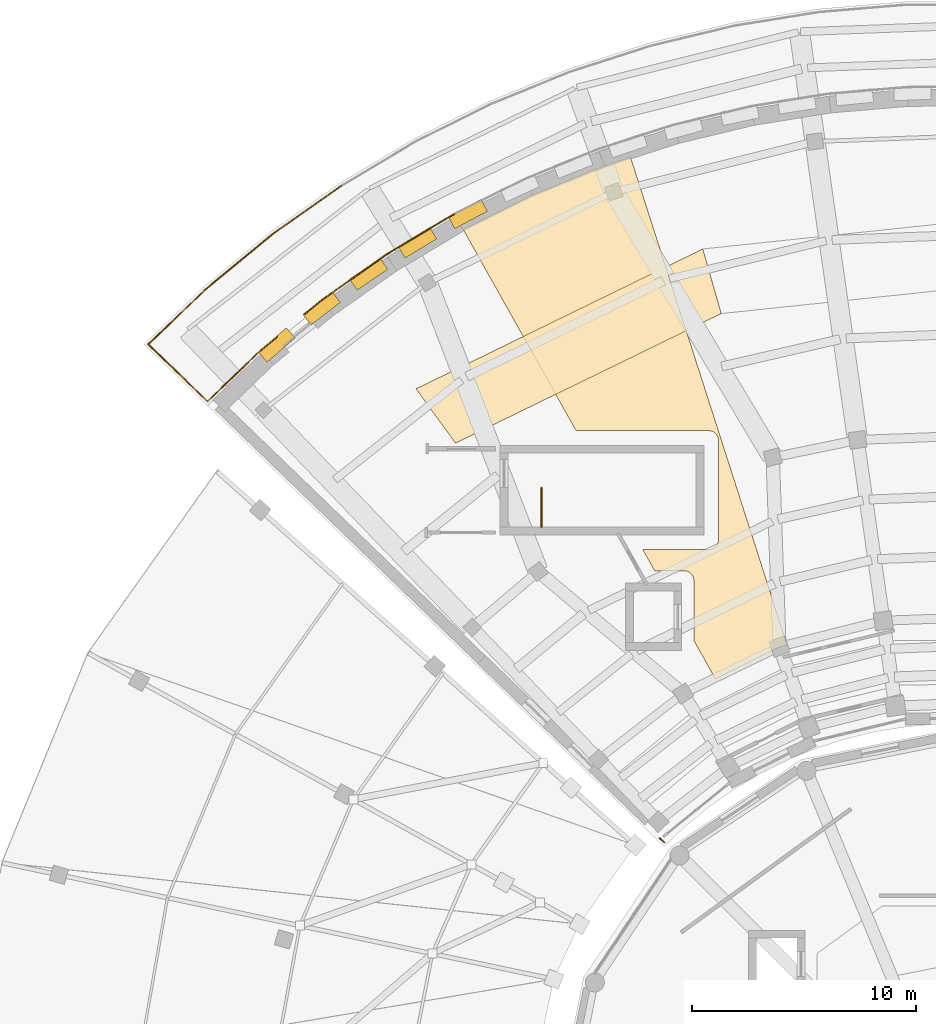
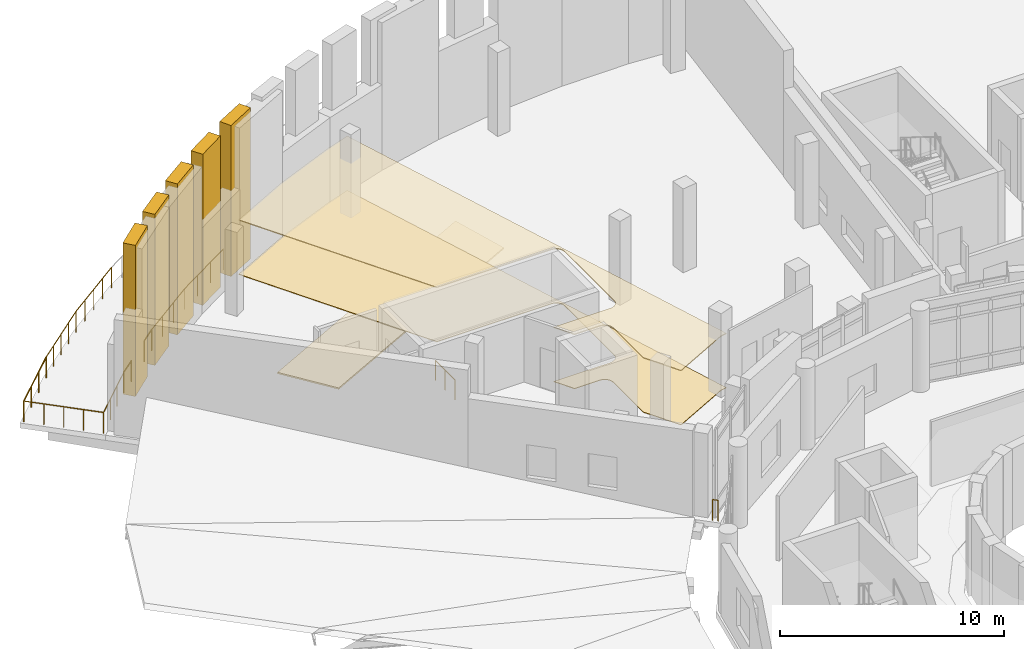
# One storey, part 45 of 49: 11 railings, 8 coverings.
"""IFC4 building model written with IfcOpenShell, lengths in metres."""

from ifc_helpers import new_model, si_unit, direction, frame, origin, origin_2d, place, context, subcontext, project, spatial, polyline, rectangle, circle, outline, extrude, material, layer, layer_set, type_object, element, save


model = new_model("IFC4")

# Units and contexts
model_context = context("Model", 3, precision=1e-05, world=origin(), true_north=direction((0.0, 1.0)))
body_context = subcontext(model_context, "Body", "Model", "MODEL_VIEW")
ifc_project = project(units=[si_unit("LENGTHUNIT", "METRE"), si_unit("AREAUNIT", "SQUARE_METRE"), si_unit("VOLUMEUNIT", "CUBIC_METRE"), si_unit("PLANEANGLEUNIT", "RADIAN"), si_unit("MASSUNIT", "GRAM", prefix="KILO")], contexts=[model_context])

# Site, building, storey
site_placement = place(None, origin())
site = spatial("IfcSite", under=ifc_project, at=site_placement, CompositionType="ELEMENT")
building_placement = place(site_placement, origin())
building = spatial("IfcBuilding", under=site, at=building_placement, Name="Soyqirgoq Riverine Aquarium", CompositionType="ELEMENT")
storey_placement = place(building_placement, frame((0.0, 0.0, 15.0)))
storey = spatial("IfcBuildingStorey", under=building, at=storey_placement, Name="L04", CompositionType="ELEMENT", Elevation=15.0)

# Coverings
ifc_material_1 = material(Name="Perforated mineral-fibre acoustic ceiling", Category="gypsum")
ifc_layer_1 = layer(ifc_material_1, 0.050048828125)
ifc_layer_set_1 = layer_set([ifc_layer_1], Name="Perforated mineral-fibre acoustic ceiling")
covering_type_1 = type_object("IfcCoveringType", Name="AcousticBaffleCeiling_50", PredefinedType="CEILING", material=ifc_layer_set_1)
covering_1_placement = place(storey_placement, frame((0.0, 0.0, 2.949951171875)))
element("IfcCovering", 1, at=covering_1_placement, inside=storey, type_object=covering_type_1, Name="Intertidal Discovery Tidepool Hall Suspended Ceiling", PredefinedType="CEILING", context=body_context, shape_type="SweptSolid", body=[
    extrude(outline(polyline([(37.0869140625, 98.822021484375), (40.302001953125, 100.131103515625), (41.47412109375, 100.509033203125), (48.468017578125, 78.72705078125), (48.172119140625, 78.656005859375), (48.123046875, 78.64111328125), (48.075927734375, 78.62109375), (45.261962890625, 77.218017578125), (44.300048828125, 78.931884765625), (44.300048828125, 81.60009765625), (44.298095703125, 81.64404296875), (44.291015625, 81.68798828125), (44.281005859375, 81.73095703125), (44.26611328125, 81.77197265625), (44.2470703125, 81.81201171875), (44.22412109375, 81.85009765625), (44.197998046875, 81.885009765625), (44.16796875, 81.91796875), (44.135009765625, 81.947998046875), (44.10009765625, 81.97412109375), (44.06201171875, 81.9970703125), (44.02197265625, 82.01611328125), (43.98095703125, 82.031005859375), (43.93798828125, 82.041015625), (43.89404296875, 82.048095703125), (43.85009765625, 82.050048828125), (42.550048828125, 82.050048828125), (42.01708984375, 83.0), (44.949951171875, 83.0), (44.993896484375, 83.001953125), (45.0380859375, 83.009033203125), (45.0810546875, 83.01904296875), (45.1220703125, 83.033935546875), (45.162109375, 83.052978515625), (45.199951171875, 83.075927734375), (45.235107421875, 83.10205078125), (45.26806640625, 83.132080078125), (45.298095703125, 83.1650390625), (45.323974609375, 83.199951171875), (45.346923828125, 83.238037109375), (45.365966796875, 83.278076171875), (45.381103515625, 83.319091796875), (45.39111328125, 83.362060546875), (45.39794921875, 83.406005859375), (45.39990234375, 83.449951171875), (45.39990234375, 87.85009765625), (45.39794921875, 87.89404296875), (45.39111328125, 87.93798828125), (45.381103515625, 87.98095703125), (45.365966796875, 88.02197265625), (45.346923828125, 88.06201171875), (45.323974609375, 88.10009765625), (45.298095703125, 88.135009765625), (45.26806640625, 88.16796875), (45.235107421875, 88.197998046875), (45.199951171875, 88.22412109375), (45.162109375, 88.2470703125), (45.1220703125, 88.26611328125), (45.0810546875, 88.281005859375), (45.0380859375, 88.291015625), (44.993896484375, 88.298095703125), (44.949951171875, 88.300048828125), (39.04296875, 88.300048828125), (34.001953125, 97.283935546875), (37.0869140625, 98.822021484375)])), origin(), (0.0, 0.0, 1.0), 0.050048828125),
])
ifc_material_2 = material(Name="Perforated anodised aluminium travertine-tone soffit", Category="masonry")
ifc_layer_2 = layer(ifc_material_2, 0.080078125)
ifc_layer_set_2 = layer_set([ifc_layer_2], Name="Perforated anodised aluminium travertine-tone soffit")
covering_type_2 = type_object("IfcCoveringType", Name="PrairieEaveSoffit_80", PredefinedType="CLADDING", material=ifc_layer_set_2)
covering_2_placement = place(storey_placement, frame((0.0, 0.0, -0.360107421875)))
element("IfcCovering", 2, at=covering_2_placement, inside=storey, type_object=covering_type_2, Name="V4 L04 Prairie Eave Travertine Soffit 06", PredefinedType="CLADDING", context=body_context, shape_type="SweptSolid", body=[
    extrude(outline(polyline([(45.52587890625, 93.52783203125), (44.698974609375, 96.41162109375), (31.90087890625, 90.169677734375), (33.664306640625, 87.74267578125), (45.52587890625, 93.52783203125)])), origin(), (0.0, 0.0, 1.0), 0.080078125),
])

# Railings
ifc_material_3 = material(Name="Painted steel infill stair-well guardrail", Category="steel")
railing_type_1 = type_object("IfcRailingType", Name="StairWellGuard_1120", PredefinedType="GUARDRAIL", material=ifc_material_3)
railing_1_placement = place(storey_placement, frame((37.5, 84.0, 0.0)))
element("IfcRailing", 3, at=railing_1_placement, inside=storey, type_object=railing_type_1, Name="L04 ST-4 top well guard 1", PredefinedType="GUARDRAIL", context=body_context, shape_type="SweptSolid", body=[
    extrude(circle(Radius=0.02392578125, at=origin_2d()), frame((0.0, 0.0, 1.09619140625), z_axis=(0.0, 1.0, 0.0), x_axis=(-1.0, 0.0, 0.0)), (0.0, 0.0, 1.0), 1.75),
    extrude(circle(Radius=0.02099609375, at=origin_2d()), origin(), (0.0, 0.0, 1.0), 1.072021484375),
    extrude(circle(Radius=0.02099609375, at=origin_2d()), frame((0.0, 0.875, 0.0)), (0.0, 0.0, 1.0), 1.072021484375),
    extrude(circle(Radius=0.02099609375, at=origin_2d()), frame((0.0, 1.75, 0.0)), (0.0, 0.0, 1.0), 1.072021484375),
])
ifc_material_4 = material(Name="Laminated safety glass and stainless steel balustrade", Category="steel")
railing_type_2 = type_object("IfcRailingType", Name="TerraceGuard_1150", PredefinedType="BALUSTRADE", material=ifc_material_4)
railing_2_placement = place(storey_placement, frame((33.602294921875, 97.967041015625, 0.0)))
element("IfcRailing", 4, at=railing_2_placement, inside=storey, type_object=railing_type_2, Name="V4 L04 Terrace Perimeter Balustrade 038", PredefinedType="BALUSTRADE", context=body_context, shape_type="SweptSolid", body=[
    extrude(circle(Radius=0.02392578125, at=origin_2d()), frame((0.0, 0.0, 1.1259765625), z_axis=(-0.858686568302, -0.512501099918, 0.0), x_axis=(0.512501099918, -0.858686568302, 0.0)), (0.0, 0.0, 1.0), 3.5302734375),
    extrude(circle(Radius=0.02099609375, at=origin_2d()), origin(), (0.0, 0.0, 1.0), 1.101806640625),
    extrude(circle(Radius=0.02099609375, at=origin_2d()), frame((-1.010498046875, -0.60302734375, 0.0)), (0.0, 0.0, 1.0), 1.101806640625),
    extrude(circle(Radius=0.02099609375, at=origin_2d()), frame((-2.02099609375, -1.206298828125, 0.0)), (0.0, 0.0, 1.0), 1.101806640625),
    extrude(circle(Radius=0.02099609375, at=origin_2d()), frame((-3.031494140625, -1.809326171875, 0.0)), (0.0, 0.0, 1.0), 1.101806640625),
])
railing_3_placement = place(storey_placement, frame((30.57080078125, 96.15771484375, 0.0)))
element("IfcRailing", 5, at=railing_3_placement, inside=storey, type_object=railing_type_2, Name="V4 L04 Terrace Perimeter Balustrade 039", PredefinedType="BALUSTRADE", context=body_context, shape_type="SweptSolid", body=[
    extrude(circle(Radius=0.02392578125, at=origin_2d()), frame((0.0, 0.0, 1.1259765625), z_axis=(-0.817463932886, -0.57597978995, 0.0), x_axis=(0.57597978995, -0.817463932886, 0.0)), (0.0, 0.0, 1.0), 3.530517578125),
    extrude(circle(Radius=0.02099609375, at=origin_2d()), origin(), (0.0, 0.0, 1.0), 1.101806640625),
    extrude(circle(Radius=0.02099609375, at=origin_2d()), frame((-0.9619140625, -0.677734375, 0.0)), (0.0, 0.0, 1.0), 1.101806640625),
    extrude(circle(Radius=0.02099609375, at=origin_2d()), frame((-1.924072265625, -1.355712890625, 0.0)), (0.0, 0.0, 1.0), 1.101806640625),
    extrude(circle(Radius=0.02099609375, at=origin_2d()), frame((-2.885986328125, -2.033447265625, 0.0)), (0.0, 0.0, 1.0), 1.101806640625),
])
for number, where, name in (
    (6, (27.684814453125, 94.124267578125, 0.0), "V4 L04 Terrace Perimeter Balustrade 040"),
    (7, (25.69580078125, 92.484619140625, 0.0), "V4 L04 Terrace Perimeter Balustrade 041"),
):
    element("IfcRailing", number, at=place(storey_placement, frame(where)), inside=storey, type_object=railing_type_2, Name=name, PredefinedType="BALUSTRADE", context=body_context, shape_type="SweptSolid", body=[
        extrude(circle(Radius=0.02392578125, at=origin_2d()), frame((0.0, 0.0, 1.1259765625), z_axis=(-0.771634250587, -0.636066492845, 0.0), x_axis=(0.636066492845, -0.771634250587, 0.0)), (0.0, 0.0, 1.0), 0.95263671875),
        extrude(circle(Radius=0.02099609375, at=origin_2d()), origin(), (0.0, 0.0, 1.0), 1.101806640625),
        extrude(circle(Radius=0.02099609375, at=origin_2d()), frame((-0.735107421875, -0.60595703125, 0.0)), (0.0, 0.0, 1.0), 1.101806640625),
    ])
railing_4_placement = place(storey_placement, frame((24.960693359375, 91.878662109375, 0.0)))
element("IfcRailing", 8, at=railing_4_placement, inside=storey, type_object=railing_type_2, Name="V4 L04 Terrace Perimeter Balustrade 042", PredefinedType="BALUSTRADE", context=body_context, shape_type="SweptSolid", body=[
    extrude(circle(Radius=0.02392578125, at=origin_2d()), frame((0.0, 0.0, 1.1259765625), z_axis=(-0.721362035895, -0.69255816591, 0.0), x_axis=(0.69255816591, -0.721362035895, 0.0)), (0.0, 0.0, 1.0), 3.2802734375),
    extrude(circle(Radius=0.02099609375, at=origin_2d()), origin(), (0.0, 0.0, 1.0), 1.101806640625),
    extrude(circle(Radius=0.02099609375, at=origin_2d()), frame((-0.788818359375, -0.75732421875, 0.0)), (0.0, 0.0, 1.0), 1.101806640625),
    extrude(circle(Radius=0.02099609375, at=origin_2d()), frame((-1.577392578125, -1.514404296875, 0.0)), (0.0, 0.0, 1.0), 1.101806640625),
    extrude(circle(Radius=0.02099609375, at=origin_2d()), frame((-2.3662109375, -2.271728515625, 0.0)), (0.0, 0.0, 1.0), 1.101806640625),
])
railing_5_placement = place(storey_placement, frame((22.594482421875, 89.60693359375, 0.0)))
element("IfcRailing", 9, at=railing_5_placement, inside=storey, type_object=railing_type_2, Name="V4 L04 Terrace Perimeter Balustrade 043", PredefinedType="BALUSTRADE", context=body_context, shape_type="SweptSolid", body=[
    extrude(circle(Radius=0.02392578125, at=origin_2d()), frame((0.0, 0.0, 1.1259765625), z_axis=(-0.7193395584, 0.694658620994, 0.0), x_axis=(-0.694658620994, -0.7193395584, 0.0)), (0.0, 0.0, 1.0), 3.669921875),
    extrude(circle(Radius=0.02099609375, at=origin_2d()), origin(), (0.0, 0.0, 1.0), 1.101806640625),
    extrude(circle(Radius=0.02099609375, at=origin_2d()), frame((-0.659912109375, 0.63720703125, 0.0)), (0.0, 0.0, 1.0), 1.101806640625),
    extrude(circle(Radius=0.02099609375, at=origin_2d()), frame((-1.31982421875, 1.274658203125, 0.0)), (0.0, 0.0, 1.0), 1.101806640625),
    extrude(circle(Radius=0.02099609375, at=origin_2d()), frame((-1.97998046875, 1.912109375, 0.0)), (0.0, 0.0, 1.0), 1.101806640625),
    extrude(circle(Radius=0.02099609375, at=origin_2d()), frame((-2.639892578125, 2.54931640625, 0.0)), (0.0, 0.0, 1.0), 1.101806640625),
])
railing_6_placement = place(storey_placement, frame((19.95458984375, 92.15625, 0.0)))
element("IfcRailing", 10, at=railing_6_placement, inside=storey, type_object=railing_type_2, Name="V4 L04 Terrace Perimeter Balustrade 044", PredefinedType="BALUSTRADE", context=body_context, shape_type="SweptSolid", body=[
    extrude(circle(Radius=0.02392578125, at=origin_2d()), frame((0.0, 0.0, 1.1259765625), z_axis=(0.721370864886, 0.6925489696, 0.0), x_axis=(-0.6925489696, 0.721370864886, 0.0)), (0.0, 0.0, 1.0), 3.5576171875),
    extrude(circle(Radius=0.02099609375, at=origin_2d()), origin(), (0.0, 0.0, 1.0), 1.101806640625),
    extrude(circle(Radius=0.02099609375, at=origin_2d()), frame((0.85546875, 0.8212890625, 0.0)), (0.0, 0.0, 1.0), 1.101806640625),
    extrude(circle(Radius=0.02099609375, at=origin_2d()), frame((1.7109375, 1.642578125, 0.0)), (0.0, 0.0, 1.0), 1.101806640625),
    extrude(circle(Radius=0.02099609375, at=origin_2d()), frame((2.56640625, 2.4638671875, 0.0)), (0.0, 0.0, 1.0), 1.101806640625),
])
railing_7_placement = place(storey_placement, frame((22.52099609375, 94.6201171875, 0.0)))
element("IfcRailing", 11, at=railing_7_placement, inside=storey, type_object=railing_type_2, Name="V4 L04 Terrace Perimeter Balustrade 045", PredefinedType="BALUSTRADE", context=body_context, shape_type="SweptSolid", body=[
    extrude(circle(Radius=0.02392578125, at=origin_2d()), frame((0.0, 0.0, 1.1259765625), z_axis=(0.771621071608, 0.636082480384, 0.0), x_axis=(-0.636082480384, 0.771621071608, 0.0)), (0.0, 0.0, 1.0), 3.807861328125),
    extrude(circle(Radius=0.02099609375, at=origin_2d()), origin(), (0.0, 0.0, 1.0), 1.101806640625),
    extrude(circle(Radius=0.02099609375, at=origin_2d()), frame((0.734619140625, 0.60546875, 0.0)), (0.0, 0.0, 1.0), 1.101806640625),
    extrude(circle(Radius=0.02099609375, at=origin_2d()), frame((1.46923828125, 1.2109375, 0.0)), (0.0, 0.0, 1.0), 1.101806640625),
    extrude(circle(Radius=0.02099609375, at=origin_2d()), frame((2.20361328125, 1.816650390625, 0.0)), (0.0, 0.0, 1.0), 1.101806640625),
    extrude(circle(Radius=0.02099609375, at=origin_2d()), frame((2.938232421875, 2.422119140625, 0.0)), (0.0, 0.0, 1.0), 1.101806640625),
])
railing_8_placement = place(storey_placement, frame((25.459228515625, 97.042236328125, 0.0)))
element("IfcRailing", 12, at=railing_8_placement, inside=storey, type_object=railing_type_2, Name="V4 L04 Terrace Perimeter Balustrade 046", PredefinedType="BALUSTRADE", context=body_context, shape_type="SweptSolid", body=[
    extrude(circle(Radius=0.02392578125, at=origin_2d()), frame((0.0, 0.0, 1.1259765625), z_axis=(0.81748106095, 0.57595548004, 0.0), x_axis=(-0.57595548004, 0.81748106095, 0.0)), (0.0, 0.0, 1.0), 3.807861328125),
    extrude(circle(Radius=0.02099609375, at=origin_2d()), origin(), (0.0, 0.0, 1.0), 1.101806640625),
    extrude(circle(Radius=0.02099609375, at=origin_2d()), frame((0.7783203125, 0.54833984375, 0.0)), (0.0, 0.0, 1.0), 1.101806640625),
    extrude(circle(Radius=0.02099609375, at=origin_2d()), frame((1.556396484375, 1.0966796875, 0.0)), (0.0, 0.0, 1.0), 1.101806640625),
    extrude(circle(Radius=0.02099609375, at=origin_2d()), frame((2.33447265625, 1.644775390625, 0.0)), (0.0, 0.0, 1.0), 1.101806640625),
    extrude(circle(Radius=0.02099609375, at=origin_2d()), frame((3.11279296875, 2.193115234375, 0.0)), (0.0, 0.0, 1.0), 1.101806640625),
])
railing_9_placement = place(storey_placement, frame((42.97265625, 69.927734375, 0.0)))
element("IfcRailing", 13, at=railing_9_placement, inside=storey, type_object=railing_type_2, Name="V4 L04 Floor Edge Balustrade 097", PredefinedType="BALUSTRADE", context=body_context, shape_type="SweptSolid", body=[
    extrude(circle(Radius=0.02392578125, at=origin_2d()), frame((0.0, 0.0, 1.1259765625), z_axis=(-0.719214376161, 0.694788227537, 0.0), x_axis=(-0.694788227537, -0.719214376161, 0.0)), (0.0, 0.0, 1.0), 0.269775390625),
    extrude(circle(Radius=0.02099609375, at=origin_2d()), origin(), (0.0, 0.0, 1.0), 1.101806640625),
    extrude(circle(Radius=0.02099609375, at=origin_2d()), frame((-0.194091796875, 0.1875, 0.0)), (0.0, 0.0, 1.0), 1.101806640625),
])

# Coverings
ifc_material_5 = material(Name="Polished Chirchiq river-pebble terrazzo flooring", Category="concrete")
ifc_layer_3 = layer(ifc_material_5, 0.030029296875)
ifc_layer_set_3 = layer_set([ifc_layer_3], Name="Polished Chirchiq river-pebble terrazzo flooring")
covering_type_3 = type_object("IfcCoveringType", Name="TerrazzoFloorFinish_30", PredefinedType="FLOORING", material=ifc_layer_set_3)
covering_3_placement = place(storey_placement, origin())
element("IfcCovering", 14, at=covering_3_placement, inside=storey, type_object=covering_type_3, Name="Intertidal Discovery Tidepool Hall Floor Finish", PredefinedType="FLOORING", context=body_context, shape_type="SweptSolid", body=[
    extrude(outline(polyline([(37.0869140625, 98.822021484375), (40.302001953125, 100.131103515625), (41.47412109375, 100.509033203125), (48.468017578125, 78.72705078125), (48.172119140625, 78.656005859375), (48.123046875, 78.64111328125), (48.075927734375, 78.62109375), (45.261962890625, 77.218017578125), (44.300048828125, 78.931884765625), (44.300048828125, 81.60009765625), (44.298095703125, 81.64404296875), (44.291015625, 81.68798828125), (44.281005859375, 81.73095703125), (44.26611328125, 81.77197265625), (44.2470703125, 81.81201171875), (44.22412109375, 81.85009765625), (44.197998046875, 81.885009765625), (44.16796875, 81.91796875), (44.135009765625, 81.947998046875), (44.10009765625, 81.97412109375), (44.06201171875, 81.9970703125), (44.02197265625, 82.01611328125), (43.98095703125, 82.031005859375), (43.93798828125, 82.041015625), (43.89404296875, 82.048095703125), (43.85009765625, 82.050048828125), (42.550048828125, 82.050048828125), (42.01708984375, 83.0), (44.949951171875, 83.0), (44.993896484375, 83.001953125), (45.0380859375, 83.009033203125), (45.0810546875, 83.01904296875), (45.1220703125, 83.033935546875), (45.162109375, 83.052978515625), (45.199951171875, 83.075927734375), (45.235107421875, 83.10205078125), (45.26806640625, 83.132080078125), (45.298095703125, 83.1650390625), (45.323974609375, 83.199951171875), (45.346923828125, 83.238037109375), (45.365966796875, 83.278076171875), (45.381103515625, 83.319091796875), (45.39111328125, 83.362060546875), (45.39794921875, 83.406005859375), (45.39990234375, 83.449951171875), (45.39990234375, 87.85009765625), (45.39794921875, 87.89404296875), (45.39111328125, 87.93798828125), (45.381103515625, 87.98095703125), (45.365966796875, 88.02197265625), (45.346923828125, 88.06201171875), (45.323974609375, 88.10009765625), (45.298095703125, 88.135009765625), (45.26806640625, 88.16796875), (45.235107421875, 88.197998046875), (45.199951171875, 88.22412109375), (45.162109375, 88.2470703125), (45.1220703125, 88.26611328125), (45.0810546875, 88.281005859375), (45.0380859375, 88.291015625), (44.993896484375, 88.298095703125), (44.949951171875, 88.300048828125), (39.04296875, 88.300048828125), (34.001953125, 97.283935546875), (37.0869140625, 98.822021484375)])), origin(), (0.0, 0.0, 1.0), 0.030029296875),
])
ifc_material_6 = material(Name="Honed Uzbek travertine limestone vertical niche pier", Category="masonry")
covering_type_4 = type_object("IfcCoveringType", Name="TravertineNichePier_550", PredefinedType="CLADDING", material=ifc_material_6)
for number, where, z_axis, x_axis, name in (
    (15, (34.216552734375, 97.96875, 0.0), (0.0, 0.0, 1.0), (-0.469471562786, 0.882947592859, 0.0), "V4 L04 Travertine Vertical Niche Pier 113"),
    (16, (31.96337890625, 96.68896484375, 0.0), (0.0, 0.0, 1.0), (-0.518027009373, 0.855364260161, 0.0), "V4 L04 Travertine Vertical Niche Pier 114"),
    (17, (29.785400390625, 95.285400390625, 0.0), (0.0, 0.0, 1.0), (-0.564967003425, 0.825113498278, 0.0), "V4 L04 Travertine Vertical Niche Pier 115"),
    (18, (27.689208984375, 93.76220703125, 0.0), (0.0, 0.0, 1.0), (-0.610145163901, 0.792289643355, 0.0), "V4 L04 Travertine Vertical Niche Pier 116"),
    (19, (25.681396484375, 92.12451171875, 0.0), (0.0, 0.0, 1.0), (-0.65342060399, 0.756995055652, 0.0), "V4 L04 Travertine Vertical Niche Pier 117"),
):
    element("IfcCovering", number, at=place(storey_placement, frame(where, z_axis=z_axis, x_axis=x_axis)), inside=storey, type_object=covering_type_4, Name=name, PredefinedType="CLADDING", context=body_context, shape_type="SweptSolid", body=[
        extrude(rectangle(XDim=0.60009765625, YDim=1.64990234375, at=origin_2d()), origin(), (0.0, 0.0, 1.0), 8.25),
    ])

save(model, "model.ifc")
